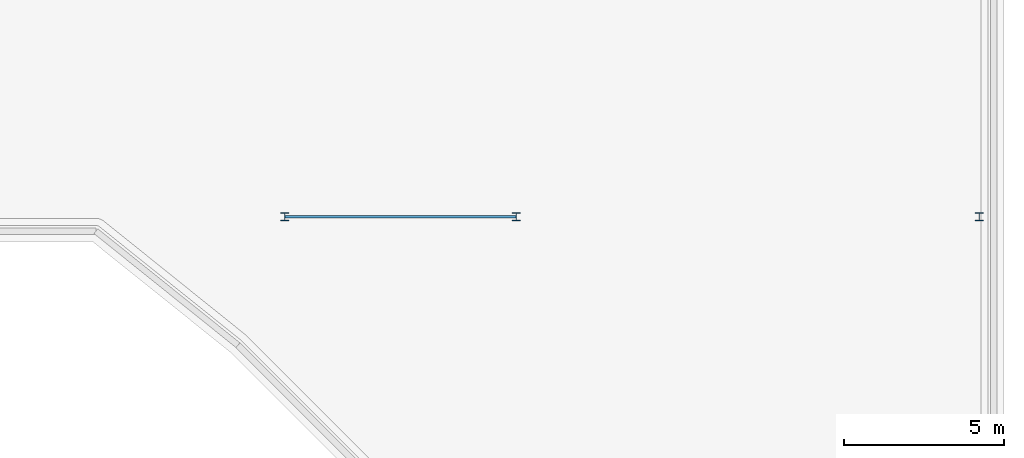
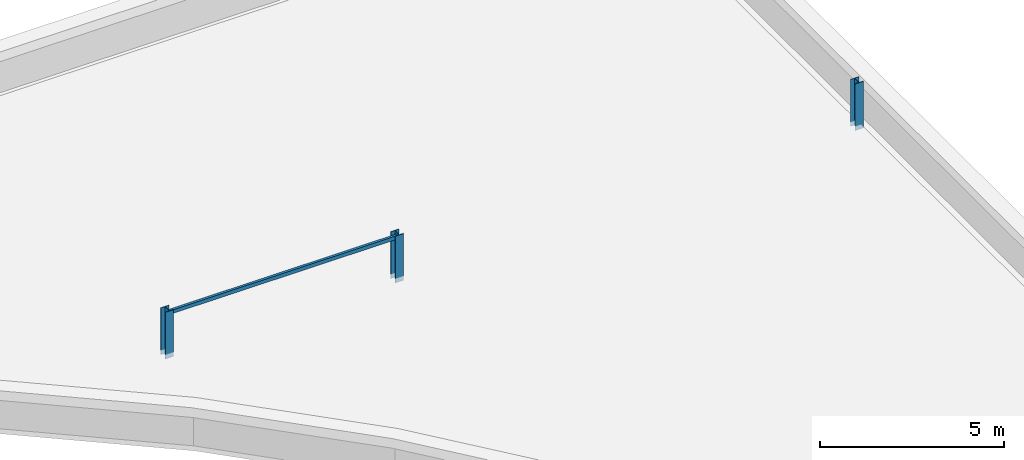
# One storey, part 1 of 3: 3 columns, 1 member.
"""IFC4 building model written with IfcOpenShell, lengths in metres."""

from ifc_helpers import new_model, si_unit, direction, frame, origin, origin_2d, place, context, subcontext, project, spatial, hollow_rectangle, i_section, extrude, material, material_profile, profile_set, type_object, element, save


model = new_model("IFC4")

# Units and contexts
model_context = context("Model", 3, precision=1e-05, world=origin(), true_north=direction((0.0, 1.0)))
body_context = subcontext(model_context, "Body", "Model", "MODEL_VIEW")
ifc_project = project(units=[si_unit("LENGTHUNIT", "METRE"), si_unit("AREAUNIT", "SQUARE_METRE"), si_unit("VOLUMEUNIT", "CUBIC_METRE"), si_unit("PLANEANGLEUNIT", "RADIAN"), si_unit("MASSUNIT", "GRAM", prefix="KILO")], contexts=[model_context])

# Site, building, storey
site_placement = place(None, origin())
site = spatial("IfcSite", under=ifc_project, at=site_placement, CompositionType="ELEMENT")
building_placement = place(site_placement, origin())
building = spatial("IfcBuilding", under=site, at=building_placement, Name="Keldmere Railside Commons", CompositionType="ELEMENT")
storey_placement = place(building_placement, frame((0.0, 0.0, 45.760009765625)))
storey = spatial("IfcBuildingStorey", under=building, at=storey_placement, Name="RF", CompositionType="ELEMENT", Elevation=45.760009765625)

# Columns
ifc_material_1 = material(Name="Steel F-36 (S355)", Category="steel")
ifc_material_profile_1 = material_profile(ifc_material_1, i_section(OverallWidth=0.260009765625, OverallDepth=0.260009765625, WebThickness=0.010009765625, FlangeThickness=0.017578125, at=origin_2d()), Name="HEB-260")
ifc_profile_set_1 = profile_set([ifc_material_profile_1], Name="Steel F-36 (S355)")
column_type = type_object("IfcColumnType", Name="Pavilion Clerestory Steel Post HEB260", PredefinedType="COLUMN", material=ifc_profile_set_1)
for number, where, z_axis, x_axis, name in (
    (1, (161.889892578125, 100.449951171875, 0.0), (0.0, 0.0, 1.0), (1.0, 0.0, 0.0), "SC-3 COL-RF-1492"),
    (2, (169.110107421875, 100.449951171875, 0.0), (0.0, 0.0, 1.0), (1.0, 0.0, 0.0), "SC-3 COL-RF-1642"),
    (3, (183.550048828125, 100.449951171875, 0.0), (0.0, 0.0, 1.0), (1.0, 0.0, 0.0), "SC-3 COL-RF-1885"),
):
    element("IfcColumn", number, at=place(storey_placement, frame(where, z_axis=z_axis, x_axis=x_axis)), inside=storey, type_object=column_type, Name=name, PredefinedType="COLUMN", context=body_context, shape_type="SweptSolid", body=[
        extrude(i_section(OverallWidth=0.260009765625, OverallDepth=0.260009765625, WebThickness=0.010009765625, FlangeThickness=0.017578125, at=origin_2d()), origin(), (0.0, 0.0, 1.0), 1.550048828125),
    ])

# Member
ifc_material_2 = material(Name="Steel F-24 (S235)", Category="steel")
ifc_material_profile_2 = material_profile(ifc_material_2, hollow_rectangle(XDim=0.080078125, YDim=0.1201171875, WallThickness=0.006103515625, at=origin_2d()), Name="RHS-120x80x6")
ifc_profile_set_2 = profile_set([ifc_material_profile_2], Name="Steel F-24 (S235)")
member_type = type_object("IfcMemberType", Name="Roof Garden Trellis Purlin RHS120x80", PredefinedType="PURLIN", material=ifc_profile_set_2)
member_placement = place(storey_placement, frame((161.89501953125, 100.449951171875, 1.419921875), z_axis=(1.0, 0.0, 0.0), x_axis=(0.0, 1.0, 0.0)))
element("IfcMember", 4, at=member_placement, inside=storey, type_object=member_type, Name="TRL-1 MEM-RTRL-1065", PredefinedType="PURLIN", context=body_context, shape_type="SweptSolid", body=[
    extrude(hollow_rectangle(XDim=0.080078125, YDim=0.1201171875, WallThickness=0.006103515625, at=origin_2d()), origin(), (0.0, 0.0, 1.0), 7.2099609375),
])

save(model, "model.ifc")
